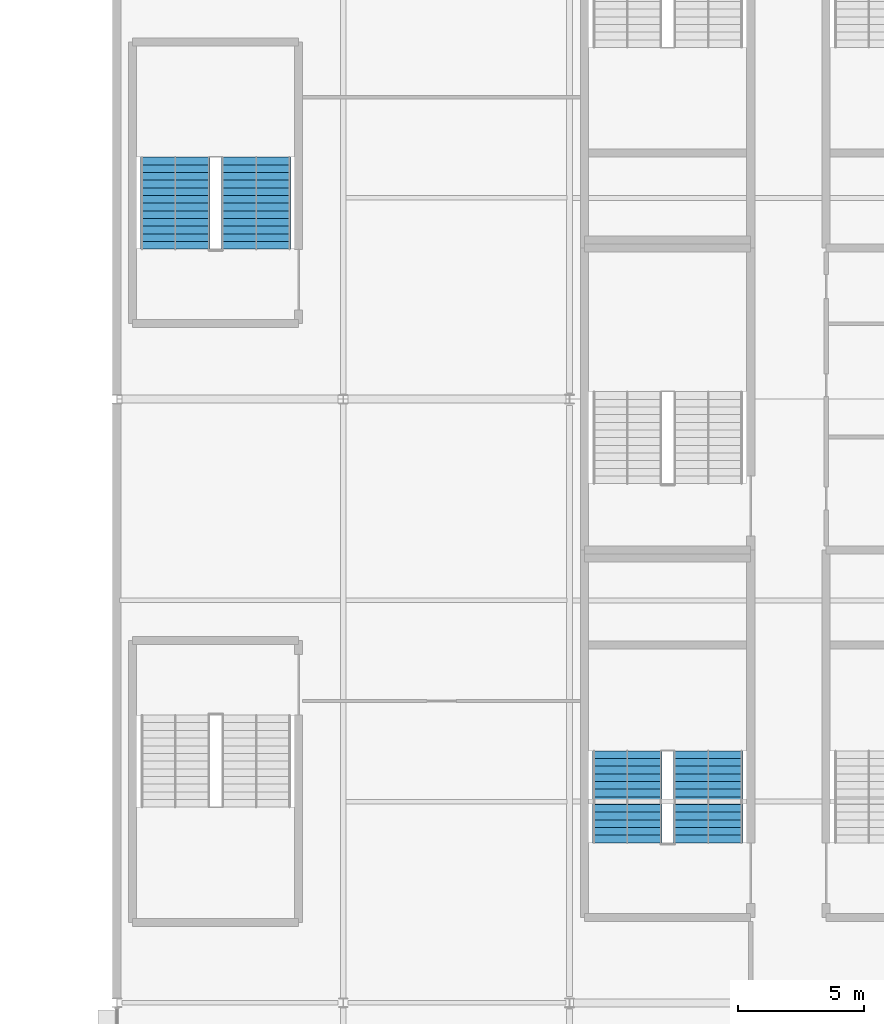
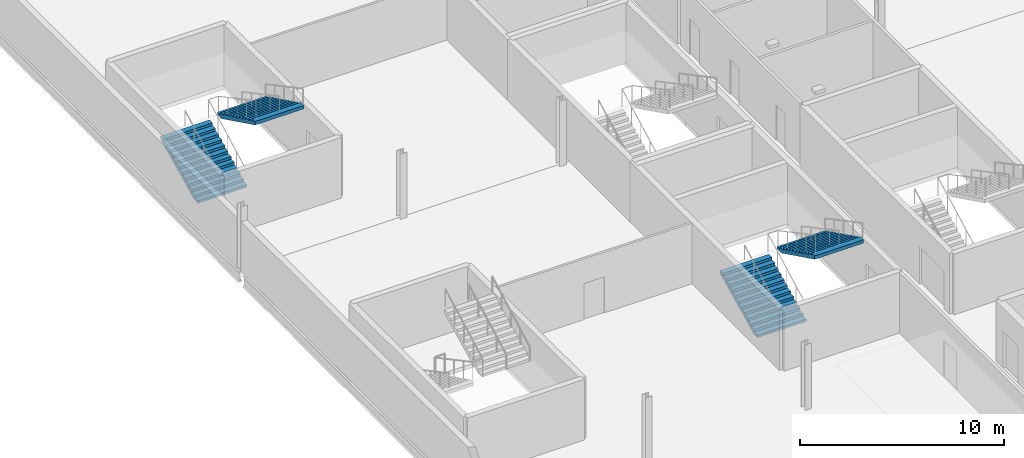
# One storey, part 86 of 98: 4 stair flights, 2 elements without a shape of their own.
"""IFC4 building model written with IfcOpenShell, lengths in metres."""

import ifcopenshell
import ifcopenshell.guid

model = None  # the IFC model being written
_history = None  # IfcOwnerHistory: only IFC2X3 demands one
_inside = {}  # id of a spatial element -> (the spatial element, [elements in it])
_under = {}  # id of a project, library or spatial element -> (it, [spatial elements below it])
_declared = {}  # id of a project -> (the project, [libraries it declares])
_typed = {}  # id of a type object -> (the type object, [elements of that type])
_made_of = {}  # id of a material, layer set ... -> (it, [elements and type objects made of it])


def new_model(schema):
    """Start an empty IFC model of exactly this schema.

    Asked for "IFC4X3", IfcOpenShell would pick the latest addendum, in which some entities
    have other attributes; the version numbers below select the first issue.
    IFC2X3 requires an IfcOwnerHistory on every rooted entity: one is made here for all.
    """
    global model, _history
    if schema == "IFC4X3":
        model = ifcopenshell.file(schema_version=(4, 3, 0, 0))
    else:
        model = ifcopenshell.file(schema=schema)
    _inside.clear()
    _under.clear()
    _declared.clear()
    _typed.clear()
    _made_of.clear()
    _history = None
    if model.schema == "IFC2X3":
        org = make("IfcOrganization", Name="unknown")
        user = make(
            "IfcPersonAndOrganization",
            ThePerson=make("IfcPerson", FamilyName="unknown"),
            TheOrganization=org,
        )
        app = make(
            "IfcApplication",
            ApplicationDeveloper=org,
            Version="unknown",
            ApplicationFullName="unknown",
            ApplicationIdentifier="unknown",
        )
        _history = make(
            "IfcOwnerHistory",
            OwningUser=user,
            OwningApplication=app,
            ChangeAction="ADDED",
            CreationDate=0,
        )
    return model


def make(cls, **values):
    """One entity of the class cls with the attributes given. An attribute that is None is left unset."""
    return model.create_entity(
        cls, **{name: value for name, value in values.items() if value is not None}
    )


def rooted(cls, **values):
    """An entity with a GlobalId (a new one), such as an element, a storey or a relation."""
    return make(cls, GlobalId=ifcopenshell.guid.new(), OwnerHistory=_history, **values)


def si_unit(unit_type, name, prefix=None):
    """IfcSIUnit, for example si_unit("LENGTHUNIT", "METRE", prefix="MILLI")."""
    return make("IfcSIUnit", UnitType=unit_type, Prefix=prefix, Name=name)


def assignment(units):
    """IfcUnitAssignment: the units of a project."""
    return None if units is None else make("IfcUnitAssignment", Units=units)


def point(xyz):
    """IfcCartesianPoint."""
    return None if xyz is None else make("IfcCartesianPoint", Coordinates=xyz)


def direction(xyz):
    """IfcDirection."""
    return None if xyz is None else make("IfcDirection", DirectionRatios=xyz)


def frame(location, z_axis=None, x_axis=None):
    """IfcAxis2Placement3D, a coordinate frame: its origin and axes. An axis left out is left unset."""
    return make(
        "IfcAxis2Placement3D",
        Location=point(location),
        Axis=direction(z_axis),
        RefDirection=direction(x_axis),
    )


def origin():
    """The frame at (0, 0, 0) with its axes left unset."""
    return frame((0.0, 0.0, 0.0))


def place(relative_to, where):
    """IfcLocalPlacement: puts the frame where relative to a parent placement (None: the world)."""
    return make(
        "IfcLocalPlacement", PlacementRelTo=relative_to, RelativePlacement=where
    )


def context(
    kind, dimensions, precision=None, world=None, true_north=None, identifier=None
):
    """IfcGeometricRepresentationContext, for example the 3D "Model" context."""
    return make(
        "IfcGeometricRepresentationContext",
        ContextIdentifier=identifier,
        ContextType=kind,
        CoordinateSpaceDimension=dimensions,
        Precision=precision,
        WorldCoordinateSystem=world,
        TrueNorth=true_north,
    )


def subcontext(parent, identifier, kind, view, scale=None):
    """IfcGeometricRepresentationSubContext, for example "Body" below "Model"."""
    return make(
        "IfcGeometricRepresentationSubContext",
        ContextIdentifier=identifier,
        ContextType=kind,
        ParentContext=parent,
        TargetScale=scale,
        TargetView=view,
    )


def project(units=None, contexts=None):
    """IfcProject with its units and contexts."""
    return rooted(
        "IfcProject",
        Name="project",
        RepresentationContexts=contexts,
        UnitsInContext=assignment(units),
    )


def spatial(cls, under=None, at=None, **own):
    """A site, building, storey or space (cls), placed at a placement, below another one or the project."""
    s = rooted(cls, ObjectPlacement=at, **own)
    if under is not None:
        _under.setdefault(under.id(), (under, []))[1].append(s)
    return s


def point_list(points):
    """IfcCartesianPointList2D or 3D."""
    cls = (
        "IfcCartesianPointList2D" if len(points[0]) == 2 else "IfcCartesianPointList3D"
    )
    return make(cls, CoordList=points)


def polygons(points, faces, closed=None, point_numbers=None):
    """IfcPolygonalFaceSet: a face is its outer loop, then its inner loops; points numbered from 1."""
    made = []
    for loops in faces:
        if len(loops) == 1:
            made.append(make("IfcIndexedPolygonalFace", CoordIndex=loops[0]))
        else:
            made.append(
                make(
                    "IfcIndexedPolygonalFaceWithVoids",
                    CoordIndex=loops[0],
                    InnerCoordIndices=loops[1:],
                )
            )
    return make(
        "IfcPolygonalFaceSet",
        Coordinates=point_list(points),
        Closed=closed,
        Faces=made,
        PnIndex=point_numbers,
    )


def shape(context_of_items, identifier, shape_type, items):
    """IfcShapeRepresentation: the items that make up one representation, for example the "Body"."""
    return make(
        "IfcShapeRepresentation",
        ContextOfItems=context_of_items,
        RepresentationIdentifier=identifier,
        RepresentationType=shape_type,
        Items=items,
    )


def material(Name=None, Category=None):
    """IfcMaterial."""
    return make("IfcMaterial", Name=Name, Category=Category)


def made_of(thing, what):
    """Note that an element or type object is made of a material, layer set ...; save() writes the relation."""
    if what is not None:
        _made_of.setdefault(what.id(), (what, []))[1].append(thing)
    return thing


def type_object(cls, material=None, **own):
    """A type object (cls), such as IfcWallType, which elements share."""
    return made_of(rooted(cls, **own), material)


def element(
    cls,
    number,
    at=None,
    inside=None,
    cuts=None,
    type_object=None,
    material=None,
    context=None,
    identifier="Body",
    shape_type=None,
    held_by="IfcProductDefinitionShape",
    body=None,
    shapes=None,
    **own,
):
    """One element of the class cls, such as IfcWall. Its Tag is "e" and its number.

    at: its placement. inside: the storey or other place that contains it. cuts: it is an
    opening in that element (IfcRelVoidsElement). A single representation is given by context,
    identifier, shape_type and body (its items); several are given by shapes. held_by: the class
    of the entity that holds the representations. save() writes the other relations.
    """
    e = rooted(cls, Tag="e%d" % number, ObjectPlacement=at, **own)
    if body is not None:
        shapes = [shape(context, identifier, shape_type, body)]
    if shapes is not None:
        e.Representation = make(held_by, Representations=shapes)
    if inside is not None:
        _inside.setdefault(inside.id(), (inside, []))[1].append(e)
    if cuts is not None:
        rooted(
            "IfcRelVoidsElement", RelatingBuildingElement=cuts, RelatedOpeningElement=e
        )
    if type_object is not None:
        _typed.setdefault(type_object.id(), (type_object, []))[1].append(e)
    return made_of(e, material)


def aggregate(whole, parts):
    """IfcRelAggregates: a whole, such as a stair, and the parts it consists of."""
    return rooted("IfcRelAggregates", RelatingObject=whole, RelatedObjects=parts)


def save(model, path):
    """Write the relations noted so far, then the file.

    IfcRelAggregates (storeys below a building ...), IfcRelContainedInSpatialStructure (elements
    in a storey), IfcRelDefinesByType, IfcRelAssociatesMaterial and IfcRelDeclares: one each for
    every whole, place, type object, material and project.
    """
    for whole, parts in _under.values():
        aggregate(whole, parts)
    for where, things in _inside.values():
        rooted(
            "IfcRelContainedInSpatialStructure",
            RelatedElements=things,
            RelatingStructure=where,
        )
    for kind, things in _typed.values():
        rooted("IfcRelDefinesByType", RelatedObjects=things, RelatingType=kind)
    for what, things in _made_of.values():
        rooted("IfcRelAssociatesMaterial", RelatedObjects=things, RelatingMaterial=what)
    for by, libraries in _declared.values():
        rooted("IfcRelDeclares", RelatingContext=by, RelatedDefinitions=libraries)
    model.write(path)


model = new_model("IFC4")

# Units and contexts
model_context = context("Model", 3, precision=1e-05, world=origin(), true_north=direction((0.0, 1.0)))
body_context = subcontext(model_context, "Body", "Model", "MODEL_VIEW")
ifc_project = project(units=[si_unit("LENGTHUNIT", "METRE"), si_unit("AREAUNIT", "SQUARE_METRE"), si_unit("VOLUMEUNIT", "CUBIC_METRE"), si_unit("PLANEANGLEUNIT", "RADIAN"), si_unit("MASSUNIT", "GRAM", prefix="KILO")], contexts=[model_context])

# Site, building, storey
site_placement = place(None, origin())
site = spatial("IfcSite", under=ifc_project, at=site_placement, CompositionType="ELEMENT")
building_placement = place(site_placement, origin())
building = spatial("IfcBuilding", under=site, at=building_placement, Name="Kisiwana Market Hall", CompositionType="ELEMENT")
storey_placement = place(building_placement, frame((0.0, 0.0, 29.39990234375)))
storey = spatial("IfcBuildingStorey", under=building, at=storey_placement, Name="L06", CompositionType="ELEMENT", Elevation=29.39990234375)

# Stair, stair flights
ifc_material_1 = material(Name="Concrete C32/40", Category="concrete")
stair_type = type_object("IfcStairType", Name="ST-ESC-3900", PredefinedType="TWO_STRAIGHT_RUN_STAIR", material=ifc_material_1)
stair_1_placement = place(storey_placement, origin())
stair_1 = element("IfcStair", 1, at=stair_1_placement, inside=storey, type_object=stair_type, Name="Escape stair ST-E7-L06", PredefinedType="TWO_STRAIGHT_RUN_STAIR")
ifc_material_2 = material(Name="Concrete C32/40", Category="concrete")
stair_flight_type = type_object("IfcStairFlightType", Name="SF-ESC-3900", PredefinedType="STRAIGHT", material=ifc_material_2)
stair_flight_1_placement = place(storey_placement, frame((173.2900390625, 42.360107421875, 0.0), z_axis=(0.0, 0.0, 1.0), x_axis=(0.0, 1.0, 0.0)))
stair_flight_1 = element("IfcStairFlight", 2, at=stair_flight_1_placement, type_object=stair_flight_type, Name="ST-E7-L06 flight 1", NumberOfRisers=13, NumberOfTreads=12, PredefinedType="STRAIGHT", RiserHeight=0.15, TreadLength=0.305, context=body_context, shape_type="Tessellation", body=[
    polygons([(0.0, -1.380127, 0.0), (0.0, -0.690125, 0.0), (0.0, -0.000122, 0.0), (0.0, 0.68988, 0.0), (0.0, 1.379883, 0.0), (0.0, -1.380127, 0.149902), (0.0, -0.690125, 0.149902), (0.0, -0.000122, 0.149902), (0.0, 0.68988, 0.149902), (0.0, 1.379883, 0.149902), (0.304932, -1.380127, 0.149902), (0.304932, -0.690125, 0.149902), (0.304932, -0.000122, 0.149902), (0.304932, 0.68988, 0.149902), (0.304932, 1.379883, 0.149902), (0.304932, -1.380127, 0.300049), (0.304932, -0.690125, 0.300049), (0.304932, -0.000122, 0.300049), (0.304932, 0.68988, 0.300049), (0.304932, 1.379883, 0.300049), (0.610107, -1.380127, 0.300049), (0.610107, -0.690125, 0.300049), (0.610107, -0.000122, 0.300049), (0.610107, 0.68988, 0.300049), (0.610107, 1.379883, 0.300049), (0.610107, -1.380127, 0.449951), (0.610107, -0.690125, 0.449951), (0.610107, -0.000122, 0.449951), (0.610107, 0.68988, 0.449951), (0.610107, 1.379883, 0.449951), (0.915039, -1.380127, 0.449951), (0.915039, -0.690125, 0.449951), (0.915039, -0.000122, 0.449951), (0.915039, 0.68988, 0.449951), (0.915039, 1.379883, 0.449951), (0.915039, -1.380127, 0.600098), (0.915039, -0.690125, 0.600098), (0.915039, -0.000122, 0.600098), (0.915039, 0.68988, 0.600098), (0.915039, 1.379883, 0.600098), (1.219971, -1.380127, 0.600098), (1.219971, -0.690125, 0.600098), (1.219971, -0.000122, 0.600098), (1.219971, 0.68988, 0.600098), (1.219971, 1.379883, 0.600098), (1.219971, -1.380127, 0.75), (1.219971, -0.690125, 0.75), (1.219971, -0.000122, 0.75), (1.219971, 0.68988, 0.75), (1.219971, 1.379883, 0.75), (1.524902, -1.380127, 0.75), (1.524902, -0.690125, 0.75), (1.524902, -0.000122, 0.75), (1.524902, 0.68988, 0.75), (1.524902, 1.379883, 0.75), (1.524902, -1.380127, 0.899902), (1.524902, -0.690125, 0.899902), (1.524902, -0.000122, 0.899902), (1.524902, 0.68988, 0.899902), (1.524902, 1.379883, 0.899902), (1.830078, -1.380127, 0.899902), (1.830078, -0.690125, 0.899902), (1.830078, -0.000122, 0.899902), (1.830078, 0.68988, 0.899902), (1.830078, 1.379883, 0.899902), (1.830078, -1.380127, 1.050049), (1.830078, -0.690125, 1.050049), (1.830078, -0.000122, 1.050049), (1.830078, 0.68988, 1.050049), (1.830078, 1.379883, 1.050049), (2.13501, -1.380127, 1.050049), (2.13501, -0.690125, 1.050049), (2.13501, -0.000122, 1.050049), (2.13501, 0.68988, 1.050049), (2.13501, 1.379883, 1.050049), (2.13501, -1.380127, 1.199951), (2.13501, -0.690125, 1.199951), (2.13501, -0.000122, 1.199951), (2.13501, 0.68988, 1.199951), (2.13501, 1.379883, 1.199951), (2.439941, -1.380127, 1.199951), (2.439941, -0.690125, 1.199951), (2.439941, -0.000122, 1.199951), (2.439941, 0.68988, 1.199951), (2.439941, 1.379883, 1.199951), (2.439941, -1.380127, 1.350098), (2.439941, -0.690125, 1.350098), (2.439941, -0.000122, 1.350098), (2.439941, 0.68988, 1.350098), (2.439941, 1.379883, 1.350098), (2.745117, -1.380127, 1.350098), (2.745117, -0.690125, 1.350098), (2.745117, -0.000122, 1.350098), (2.745117, 0.68988, 1.350098), (2.745117, 1.379883, 1.350098), (2.745117, -1.380127, 1.5), (2.745117, -0.690125, 1.5), (2.745117, -0.000122, 1.5), (2.745117, 0.68988, 1.5), (2.745117, 1.379883, 1.5), (3.050049, -1.380127, 1.5), (3.050049, -0.690125, 1.5), (3.050049, -0.000122, 1.5), (3.050049, 0.68988, 1.5), (3.050049, 1.379883, 1.5), (3.050049, -1.380127, 1.649902), (3.050049, -0.690125, 1.649902), (3.050049, -0.000122, 1.649902), (3.050049, 0.68988, 1.649902), (3.050049, 1.379883, 1.649902), (3.35498, -1.380127, 1.649902), (3.35498, -0.690125, 1.649902), (3.35498, -0.000122, 1.649902), (3.35498, 0.68988, 1.649902), (3.35498, 1.379883, 1.649902), (3.35498, -1.380127, 1.800049), (3.35498, -0.690125, 1.800049), (3.35498, -0.000122, 1.800049), (3.35498, 0.68988, 1.800049), (3.35498, 1.379883, 1.800049), (3.659912, -1.380127, 1.800049), (3.659912, -0.690125, 1.800049), (3.659912, -0.000122, 1.800049), (3.659912, 0.68988, 1.800049), (3.659912, 1.379883, 1.800049), (3.659912, -1.380127, 1.599365), (3.659912, -0.690125, 1.599365), (3.659912, -0.000122, 1.599365), (3.659912, 0.68988, 1.599365), (3.659912, 1.379883, 1.599365), (0.407715, -1.380127, 0.0), (0.407715, -0.690125, 0.0), (0.407715, -0.000122, 0.0), (0.407715, 0.68988, 0.0), (0.407715, 1.379883, 0.0)], [[[1, 6, 7, 2]], [[2, 7, 8, 3]], [[3, 8, 9, 4]], [[4, 9, 10, 5]], [[6, 11, 12, 7]], [[7, 12, 13, 8]], [[8, 13, 14, 9]], [[9, 14, 15, 10]], [[11, 16, 17, 12]], [[12, 17, 18, 13]], [[13, 18, 19, 14]], [[14, 19, 20, 15]], [[16, 21, 22, 17]], [[17, 22, 23, 18]], [[18, 23, 24, 19]], [[19, 24, 25, 20]], [[21, 26, 27, 22]], [[22, 27, 28, 23]], [[23, 28, 29, 24]], [[24, 29, 30, 25]], [[26, 31, 32, 27]], [[27, 32, 33, 28]], [[28, 33, 34, 29]], [[29, 34, 35, 30]], [[31, 36, 37, 32]], [[32, 37, 38, 33]], [[33, 38, 39, 34]], [[34, 39, 40, 35]], [[36, 41, 42, 37]], [[37, 42, 43, 38]], [[38, 43, 44, 39]], [[39, 44, 45, 40]], [[41, 46, 47, 42]], [[42, 47, 48, 43]], [[43, 48, 49, 44]], [[44, 49, 50, 45]], [[46, 51, 52, 47]], [[47, 52, 53, 48]], [[48, 53, 54, 49]], [[49, 54, 55, 50]], [[51, 56, 57, 52]], [[52, 57, 58, 53]], [[53, 58, 59, 54]], [[54, 59, 60, 55]], [[56, 61, 62, 57]], [[57, 62, 63, 58]], [[58, 63, 64, 59]], [[59, 64, 65, 60]], [[61, 66, 67, 62]], [[62, 67, 68, 63]], [[63, 68, 69, 64]], [[64, 69, 70, 65]], [[66, 71, 72, 67]], [[67, 72, 73, 68]], [[68, 73, 74, 69]], [[69, 74, 75, 70]], [[71, 76, 77, 72]], [[72, 77, 78, 73]], [[73, 78, 79, 74]], [[74, 79, 80, 75]], [[76, 81, 82, 77]], [[77, 82, 83, 78]], [[78, 83, 84, 79]], [[79, 84, 85, 80]], [[81, 86, 87, 82]], [[82, 87, 88, 83]], [[83, 88, 89, 84]], [[84, 89, 90, 85]], [[86, 91, 92, 87]], [[87, 92, 93, 88]], [[88, 93, 94, 89]], [[89, 94, 95, 90]], [[91, 96, 97, 92]], [[92, 97, 98, 93]], [[93, 98, 99, 94]], [[94, 99, 100, 95]], [[96, 101, 102, 97]], [[97, 102, 103, 98]], [[98, 103, 104, 99]], [[99, 104, 105, 100]], [[101, 106, 107, 102]], [[102, 107, 108, 103]], [[103, 108, 109, 104]], [[104, 109, 110, 105]], [[106, 111, 112, 107]], [[107, 112, 113, 108]], [[108, 113, 114, 109]], [[109, 114, 115, 110]], [[111, 116, 117, 112]], [[112, 117, 118, 113]], [[113, 118, 119, 114]], [[114, 119, 120, 115]], [[116, 121, 122, 117]], [[117, 122, 123, 118]], [[118, 123, 124, 119]], [[119, 124, 125, 120]], [[121, 126, 127, 122]], [[122, 127, 128, 123]], [[123, 128, 129, 124]], [[124, 129, 130, 125]], [[126, 131, 132, 127]], [[127, 132, 133, 128]], [[128, 133, 134, 129]], [[129, 134, 135, 130]], [[131, 1, 2, 132]], [[132, 2, 3, 133]], [[133, 3, 4, 134]], [[134, 4, 5, 135]], [[131, 126, 121, 116, 111, 106, 101, 96, 91, 86, 81, 76, 71, 66, 61, 56, 51, 46, 41, 36, 31, 26, 21, 16, 11, 6, 1]], [[5, 10, 15, 20, 25, 30, 35, 40, 45, 50, 55, 60, 65, 70, 75, 80, 85, 90, 95, 100, 105, 110, 115, 120, 125, 130, 135]]], closed=True),
])
stair_flight_2_placement = place(storey_placement, frame((176.510009765625, 46.02001953125, 1.9501953125), z_axis=(0.0, 0.0, 1.0), x_axis=(0.0, -1.0, 0.0)))
stair_flight_2 = element("IfcStairFlight", 3, at=stair_flight_2_placement, type_object=stair_flight_type, Name="ST-E7-L06 flight 2", NumberOfRisers=13, NumberOfTreads=12, PredefinedType="STRAIGHT", RiserHeight=0.15, TreadLength=0.305, context=body_context, shape_type="Tessellation", body=[
    polygons([(0.0, -1.380127, 0.0), (0.0, -0.690125, 0.0), (0.0, -0.000122, 0.0), (0.0, 0.68988, 0.0), (0.0, 1.379883, 0.0), (0.0, -1.380127, 0.149902), (0.0, -0.690125, 0.149902), (0.0, -0.000122, 0.149902), (0.0, 0.68988, 0.149902), (0.0, 1.379883, 0.149902), (0.304932, -1.380127, 0.149902), (0.304932, -0.690125, 0.149902), (0.304932, -0.000122, 0.149902), (0.304932, 0.68988, 0.149902), (0.304932, 1.379883, 0.149902), (0.304932, -1.380127, 0.300049), (0.304932, -0.690125, 0.300049), (0.304932, -0.000122, 0.300049), (0.304932, 0.68988, 0.300049), (0.304932, 1.379883, 0.300049), (0.610107, -1.380127, 0.300049), (0.610107, -0.690125, 0.300049), (0.610107, -0.000122, 0.300049), (0.610107, 0.68988, 0.300049), (0.610107, 1.379883, 0.300049), (0.610107, -1.380127, 0.449951), (0.610107, -0.690125, 0.449951), (0.610107, -0.000122, 0.449951), (0.610107, 0.68988, 0.449951), (0.610107, 1.379883, 0.449951), (0.915039, -1.380127, 0.449951), (0.915039, -0.690125, 0.449951), (0.915039, -0.000122, 0.449951), (0.915039, 0.68988, 0.449951), (0.915039, 1.379883, 0.449951), (0.915039, -1.380127, 0.600098), (0.915039, -0.690125, 0.600098), (0.915039, -0.000122, 0.600098), (0.915039, 0.68988, 0.600098), (0.915039, 1.379883, 0.600098), (1.219971, -1.380127, 0.600098), (1.219971, -0.690125, 0.600098), (1.219971, -0.000122, 0.600098), (1.219971, 0.68988, 0.600098), (1.219971, 1.379883, 0.600098), (1.219971, -1.380127, 0.75), (1.219971, -0.690125, 0.75), (1.219971, -0.000122, 0.75), (1.219971, 0.68988, 0.75), (1.219971, 1.379883, 0.75), (1.524902, -1.380127, 0.75), (1.524902, -0.690125, 0.75), (1.524902, -0.000122, 0.75), (1.524902, 0.68988, 0.75), (1.524902, 1.379883, 0.75), (1.524902, -1.380127, 0.899902), (1.524902, -0.690125, 0.899902), (1.524902, -0.000122, 0.899902), (1.524902, 0.68988, 0.899902), (1.524902, 1.379883, 0.899902), (1.830078, -1.380127, 0.899902), (1.830078, -0.690125, 0.899902), (1.830078, -0.000122, 0.899902), (1.830078, 0.68988, 0.899902), (1.830078, 1.379883, 0.899902), (1.830078, -1.380127, 1.050049), (1.830078, -0.690125, 1.050049), (1.830078, -0.000122, 1.050049), (1.830078, 0.68988, 1.050049), (1.830078, 1.379883, 1.050049), (2.13501, -1.380127, 1.050049), (2.13501, -0.690125, 1.050049), (2.13501, -0.000122, 1.050049), (2.13501, 0.68988, 1.050049), (2.13501, 1.379883, 1.050049), (2.13501, -1.380127, 1.199951), (2.13501, -0.690125, 1.199951), (2.13501, -0.000122, 1.199951), (2.13501, 0.68988, 1.199951), (2.13501, 1.379883, 1.199951), (2.439941, -1.380127, 1.199951), (2.439941, -0.690125, 1.199951), (2.439941, -0.000122, 1.199951), (2.439941, 0.68988, 1.199951), (2.439941, 1.379883, 1.199951), (2.439941, -1.380127, 1.350098), (2.439941, -0.690125, 1.350098), (2.439941, -0.000122, 1.350098), (2.439941, 0.68988, 1.350098), (2.439941, 1.379883, 1.350098), (2.745117, -1.380127, 1.350098), (2.745117, -0.690125, 1.350098), (2.745117, -0.000122, 1.350098), (2.745117, 0.68988, 1.350098), (2.745117, 1.379883, 1.350098), (2.745117, -1.380127, 1.5), (2.745117, -0.690125, 1.5), (2.745117, -0.000122, 1.5), (2.745117, 0.68988, 1.5), (2.745117, 1.379883, 1.5), (3.050049, -1.380127, 1.5), (3.050049, -0.690125, 1.5), (3.050049, -0.000122, 1.5), (3.050049, 0.68988, 1.5), (3.050049, 1.379883, 1.5), (3.050049, -1.380127, 1.649902), (3.050049, -0.690125, 1.649902), (3.050049, -0.000122, 1.649902), (3.050049, 0.68988, 1.649902), (3.050049, 1.379883, 1.649902), (3.35498, -1.380127, 1.649902), (3.35498, -0.690125, 1.649902), (3.35498, -0.000122, 1.649902), (3.35498, 0.68988, 1.649902), (3.35498, 1.379883, 1.649902), (3.35498, -1.380127, 1.800049), (3.35498, -0.690125, 1.800049), (3.35498, -0.000122, 1.800049), (3.35498, 0.68988, 1.800049), (3.35498, 1.379883, 1.800049), (3.659912, -1.380127, 1.800049), (3.659912, -0.690125, 1.800049), (3.659912, -0.000122, 1.800049), (3.659912, 0.68988, 1.800049), (3.659912, 1.379883, 1.800049), (3.659912, -1.380127, 1.599365), (3.659912, -0.690125, 1.599365), (3.659912, -0.000122, 1.599365), (3.659912, 0.68988, 1.599365), (3.659912, 1.379883, 1.599365), (0.407715, -1.380127, 0.0), (0.407715, -0.690125, 0.0), (0.407715, -0.000122, 0.0), (0.407715, 0.68988, 0.0), (0.407715, 1.379883, 0.0)], [[[1, 6, 7, 2]], [[2, 7, 8, 3]], [[3, 8, 9, 4]], [[4, 9, 10, 5]], [[6, 11, 12, 7]], [[7, 12, 13, 8]], [[8, 13, 14, 9]], [[9, 14, 15, 10]], [[11, 16, 17, 12]], [[12, 17, 18, 13]], [[13, 18, 19, 14]], [[14, 19, 20, 15]], [[16, 21, 22, 17]], [[17, 22, 23, 18]], [[18, 23, 24, 19]], [[19, 24, 25, 20]], [[21, 26, 27, 22]], [[22, 27, 28, 23]], [[23, 28, 29, 24]], [[24, 29, 30, 25]], [[26, 31, 32, 27]], [[27, 32, 33, 28]], [[28, 33, 34, 29]], [[29, 34, 35, 30]], [[31, 36, 37, 32]], [[32, 37, 38, 33]], [[33, 38, 39, 34]], [[34, 39, 40, 35]], [[36, 41, 42, 37]], [[37, 42, 43, 38]], [[38, 43, 44, 39]], [[39, 44, 45, 40]], [[41, 46, 47, 42]], [[42, 47, 48, 43]], [[43, 48, 49, 44]], [[44, 49, 50, 45]], [[46, 51, 52, 47]], [[47, 52, 53, 48]], [[48, 53, 54, 49]], [[49, 54, 55, 50]], [[51, 56, 57, 52]], [[52, 57, 58, 53]], [[53, 58, 59, 54]], [[54, 59, 60, 55]], [[56, 61, 62, 57]], [[57, 62, 63, 58]], [[58, 63, 64, 59]], [[59, 64, 65, 60]], [[61, 66, 67, 62]], [[62, 67, 68, 63]], [[63, 68, 69, 64]], [[64, 69, 70, 65]], [[66, 71, 72, 67]], [[67, 72, 73, 68]], [[68, 73, 74, 69]], [[69, 74, 75, 70]], [[71, 76, 77, 72]], [[72, 77, 78, 73]], [[73, 78, 79, 74]], [[74, 79, 80, 75]], [[76, 81, 82, 77]], [[77, 82, 83, 78]], [[78, 83, 84, 79]], [[79, 84, 85, 80]], [[81, 86, 87, 82]], [[82, 87, 88, 83]], [[83, 88, 89, 84]], [[84, 89, 90, 85]], [[86, 91, 92, 87]], [[87, 92, 93, 88]], [[88, 93, 94, 89]], [[89, 94, 95, 90]], [[91, 96, 97, 92]], [[92, 97, 98, 93]], [[93, 98, 99, 94]], [[94, 99, 100, 95]], [[96, 101, 102, 97]], [[97, 102, 103, 98]], [[98, 103, 104, 99]], [[99, 104, 105, 100]], [[101, 106, 107, 102]], [[102, 107, 108, 103]], [[103, 108, 109, 104]], [[104, 109, 110, 105]], [[106, 111, 112, 107]], [[107, 112, 113, 108]], [[108, 113, 114, 109]], [[109, 114, 115, 110]], [[111, 116, 117, 112]], [[112, 117, 118, 113]], [[113, 118, 119, 114]], [[114, 119, 120, 115]], [[116, 121, 122, 117]], [[117, 122, 123, 118]], [[118, 123, 124, 119]], [[119, 124, 125, 120]], [[121, 126, 127, 122]], [[122, 127, 128, 123]], [[123, 128, 129, 124]], [[124, 129, 130, 125]], [[126, 131, 132, 127]], [[127, 132, 133, 128]], [[128, 133, 134, 129]], [[129, 134, 135, 130]], [[131, 1, 2, 132]], [[132, 2, 3, 133]], [[133, 3, 4, 134]], [[134, 4, 5, 135]], [[131, 126, 121, 116, 111, 106, 101, 96, 91, 86, 81, 76, 71, 66, 61, 56, 51, 46, 41, 36, 31, 26, 21, 16, 11, 6, 1]], [[5, 10, 15, 20, 25, 30, 35, 40, 45, 50, 55, 60, 65, 70, 75, 80, 85, 90, 95, 100, 105, 110, 115, 120, 125, 130, 135]]], closed=True),
])
aggregate(stair_1, [stair_flight_1, stair_flight_2])

stair_2_placement = place(storey_placement, origin())
stair_2 = element("IfcStair", 4, at=stair_2_placement, inside=storey, type_object=stair_type, Name="Escape stair ST-E10-L06", PredefinedType="TWO_STRAIGHT_RUN_STAIR")
stair_flight_3_placement = place(storey_placement, frame((155.320068359375, 65.9599609375, 0.0), z_axis=(0.0, 0.0, 1.0), x_axis=(0.0, 1.0, 0.0)))
stair_flight_3 = element("IfcStairFlight", 5, at=stair_flight_3_placement, type_object=stair_flight_type, Name="ST-E10-L06 flight 1", NumberOfRisers=13, NumberOfTreads=12, PredefinedType="STRAIGHT", RiserHeight=0.15, TreadLength=0.305, context=body_context, shape_type="Tessellation", body=[
    polygons([(0.0, -1.380127, 0.0), (0.0, -0.690125, 0.0), (0.0, -0.000122, 0.0), (0.0, 0.68988, 0.0), (0.0, 1.379883, 0.0), (0.0, -1.380127, 0.149902), (0.0, -0.690125, 0.149902), (0.0, -0.000122, 0.149902), (0.0, 0.68988, 0.149902), (0.0, 1.379883, 0.149902), (0.304932, -1.380127, 0.149902), (0.304932, -0.690125, 0.149902), (0.304932, -0.000122, 0.149902), (0.304932, 0.68988, 0.149902), (0.304932, 1.379883, 0.149902), (0.304932, -1.380127, 0.300049), (0.304932, -0.690125, 0.300049), (0.304932, -0.000122, 0.300049), (0.304932, 0.68988, 0.300049), (0.304932, 1.379883, 0.300049), (0.610107, -1.380127, 0.300049), (0.610107, -0.690125, 0.300049), (0.610107, -0.000122, 0.300049), (0.610107, 0.68988, 0.300049), (0.610107, 1.379883, 0.300049), (0.610107, -1.380127, 0.449951), (0.610107, -0.690125, 0.449951), (0.610107, -0.000122, 0.449951), (0.610107, 0.68988, 0.449951), (0.610107, 1.379883, 0.449951), (0.915039, -1.380127, 0.449951), (0.915039, -0.690125, 0.449951), (0.915039, -0.000122, 0.449951), (0.915039, 0.68988, 0.449951), (0.915039, 1.379883, 0.449951), (0.915039, -1.380127, 0.600098), (0.915039, -0.690125, 0.600098), (0.915039, -0.000122, 0.600098), (0.915039, 0.68988, 0.600098), (0.915039, 1.379883, 0.600098), (1.219971, -1.380127, 0.600098), (1.219971, -0.690125, 0.600098), (1.219971, -0.000122, 0.600098), (1.219971, 0.68988, 0.600098), (1.219971, 1.379883, 0.600098), (1.219971, -1.380127, 0.75), (1.219971, -0.690125, 0.75), (1.219971, -0.000122, 0.75), (1.219971, 0.68988, 0.75), (1.219971, 1.379883, 0.75), (1.524902, -1.380127, 0.75), (1.524902, -0.690125, 0.75), (1.524902, -0.000122, 0.75), (1.524902, 0.68988, 0.75), (1.524902, 1.379883, 0.75), (1.524902, -1.380127, 0.899902), (1.524902, -0.690125, 0.899902), (1.524902, -0.000122, 0.899902), (1.524902, 0.68988, 0.899902), (1.524902, 1.379883, 0.899902), (1.830078, -1.380127, 0.899902), (1.830078, -0.690125, 0.899902), (1.830078, -0.000122, 0.899902), (1.830078, 0.68988, 0.899902), (1.830078, 1.379883, 0.899902), (1.830078, -1.380127, 1.050049), (1.830078, -0.690125, 1.050049), (1.830078, -0.000122, 1.050049), (1.830078, 0.68988, 1.050049), (1.830078, 1.379883, 1.050049), (2.13501, -1.380127, 1.050049), (2.13501, -0.690125, 1.050049), (2.13501, -0.000122, 1.050049), (2.13501, 0.68988, 1.050049), (2.13501, 1.379883, 1.050049), (2.13501, -1.380127, 1.199951), (2.13501, -0.690125, 1.199951), (2.13501, -0.000122, 1.199951), (2.13501, 0.68988, 1.199951), (2.13501, 1.379883, 1.199951), (2.439941, -1.380127, 1.199951), (2.439941, -0.690125, 1.199951), (2.439941, -0.000122, 1.199951), (2.439941, 0.68988, 1.199951), (2.439941, 1.379883, 1.199951), (2.439941, -1.380127, 1.350098), (2.439941, -0.690125, 1.350098), (2.439941, -0.000122, 1.350098), (2.439941, 0.68988, 1.350098), (2.439941, 1.379883, 1.350098), (2.745117, -1.380127, 1.350098), (2.745117, -0.690125, 1.350098), (2.745117, -0.000122, 1.350098), (2.745117, 0.68988, 1.350098), (2.745117, 1.379883, 1.350098), (2.745117, -1.380127, 1.5), (2.745117, -0.690125, 1.5), (2.745117, -0.000122, 1.5), (2.745117, 0.68988, 1.5), (2.745117, 1.379883, 1.5), (3.050049, -1.380127, 1.5), (3.050049, -0.690125, 1.5), (3.050049, -0.000122, 1.5), (3.050049, 0.68988, 1.5), (3.050049, 1.379883, 1.5), (3.050049, -1.380127, 1.649902), (3.050049, -0.690125, 1.649902), (3.050049, -0.000122, 1.649902), (3.050049, 0.68988, 1.649902), (3.050049, 1.379883, 1.649902), (3.35498, -1.380127, 1.649902), (3.35498, -0.690125, 1.649902), (3.35498, -0.000122, 1.649902), (3.35498, 0.68988, 1.649902), (3.35498, 1.379883, 1.649902), (3.35498, -1.380127, 1.800049), (3.35498, -0.690125, 1.800049), (3.35498, -0.000122, 1.800049), (3.35498, 0.68988, 1.800049), (3.35498, 1.379883, 1.800049), (3.659912, -1.380127, 1.800049), (3.659912, -0.690125, 1.800049), (3.659912, -0.000122, 1.800049), (3.659912, 0.68988, 1.800049), (3.659912, 1.379883, 1.800049), (3.659912, -1.380127, 1.599365), (3.659912, -0.690125, 1.599365), (3.659912, -0.000122, 1.599365), (3.659912, 0.68988, 1.599365), (3.659912, 1.379883, 1.599365), (0.407715, -1.380127, 0.0), (0.407715, -0.690125, 0.0), (0.407715, -0.000122, 0.0), (0.407715, 0.68988, 0.0), (0.407715, 1.379883, 0.0)], [[[1, 6, 7, 2]], [[2, 7, 8, 3]], [[3, 8, 9, 4]], [[4, 9, 10, 5]], [[6, 11, 12, 7]], [[7, 12, 13, 8]], [[8, 13, 14, 9]], [[9, 14, 15, 10]], [[11, 16, 17, 12]], [[12, 17, 18, 13]], [[13, 18, 19, 14]], [[14, 19, 20, 15]], [[16, 21, 22, 17]], [[17, 22, 23, 18]], [[18, 23, 24, 19]], [[19, 24, 25, 20]], [[21, 26, 27, 22]], [[22, 27, 28, 23]], [[23, 28, 29, 24]], [[24, 29, 30, 25]], [[26, 31, 32, 27]], [[27, 32, 33, 28]], [[28, 33, 34, 29]], [[29, 34, 35, 30]], [[31, 36, 37, 32]], [[32, 37, 38, 33]], [[33, 38, 39, 34]], [[34, 39, 40, 35]], [[36, 41, 42, 37]], [[37, 42, 43, 38]], [[38, 43, 44, 39]], [[39, 44, 45, 40]], [[41, 46, 47, 42]], [[42, 47, 48, 43]], [[43, 48, 49, 44]], [[44, 49, 50, 45]], [[46, 51, 52, 47]], [[47, 52, 53, 48]], [[48, 53, 54, 49]], [[49, 54, 55, 50]], [[51, 56, 57, 52]], [[52, 57, 58, 53]], [[53, 58, 59, 54]], [[54, 59, 60, 55]], [[56, 61, 62, 57]], [[57, 62, 63, 58]], [[58, 63, 64, 59]], [[59, 64, 65, 60]], [[61, 66, 67, 62]], [[62, 67, 68, 63]], [[63, 68, 69, 64]], [[64, 69, 70, 65]], [[66, 71, 72, 67]], [[67, 72, 73, 68]], [[68, 73, 74, 69]], [[69, 74, 75, 70]], [[71, 76, 77, 72]], [[72, 77, 78, 73]], [[73, 78, 79, 74]], [[74, 79, 80, 75]], [[76, 81, 82, 77]], [[77, 82, 83, 78]], [[78, 83, 84, 79]], [[79, 84, 85, 80]], [[81, 86, 87, 82]], [[82, 87, 88, 83]], [[83, 88, 89, 84]], [[84, 89, 90, 85]], [[86, 91, 92, 87]], [[87, 92, 93, 88]], [[88, 93, 94, 89]], [[89, 94, 95, 90]], [[91, 96, 97, 92]], [[92, 97, 98, 93]], [[93, 98, 99, 94]], [[94, 99, 100, 95]], [[96, 101, 102, 97]], [[97, 102, 103, 98]], [[98, 103, 104, 99]], [[99, 104, 105, 100]], [[101, 106, 107, 102]], [[102, 107, 108, 103]], [[103, 108, 109, 104]], [[104, 109, 110, 105]], [[106, 111, 112, 107]], [[107, 112, 113, 108]], [[108, 113, 114, 109]], [[109, 114, 115, 110]], [[111, 116, 117, 112]], [[112, 117, 118, 113]], [[113, 118, 119, 114]], [[114, 119, 120, 115]], [[116, 121, 122, 117]], [[117, 122, 123, 118]], [[118, 123, 124, 119]], [[119, 124, 125, 120]], [[121, 126, 127, 122]], [[122, 127, 128, 123]], [[123, 128, 129, 124]], [[124, 129, 130, 125]], [[126, 131, 132, 127]], [[127, 132, 133, 128]], [[128, 133, 134, 129]], [[129, 134, 135, 130]], [[131, 1, 2, 132]], [[132, 2, 3, 133]], [[133, 3, 4, 134]], [[134, 4, 5, 135]], [[131, 126, 121, 116, 111, 106, 101, 96, 91, 86, 81, 76, 71, 66, 61, 56, 51, 46, 41, 36, 31, 26, 21, 16, 11, 6, 1]], [[5, 10, 15, 20, 25, 30, 35, 40, 45, 50, 55, 60, 65, 70, 75, 80, 85, 90, 95, 100, 105, 110, 115, 120, 125, 130, 135]]], closed=True),
])
stair_flight_4_placement = place(storey_placement, frame((158.5400390625, 69.6201171875, 1.9501953125), z_axis=(0.0, 0.0, 1.0), x_axis=(0.0, -1.0, 0.0)))
stair_flight_4 = element("IfcStairFlight", 6, at=stair_flight_4_placement, type_object=stair_flight_type, Name="ST-E10-L06 flight 2", NumberOfRisers=13, NumberOfTreads=12, PredefinedType="STRAIGHT", RiserHeight=0.15, TreadLength=0.305, context=body_context, shape_type="Tessellation", body=[
    polygons([(0.0, -1.380127, 0.0), (0.0, -0.690125, 0.0), (0.0, -0.000122, 0.0), (0.0, 0.68988, 0.0), (0.0, 1.379883, 0.0), (0.0, -1.380127, 0.149902), (0.0, -0.690125, 0.149902), (0.0, -0.000122, 0.149902), (0.0, 0.68988, 0.149902), (0.0, 1.379883, 0.149902), (0.304932, -1.380127, 0.149902), (0.304932, -0.690125, 0.149902), (0.304932, -0.000122, 0.149902), (0.304932, 0.68988, 0.149902), (0.304932, 1.379883, 0.149902), (0.304932, -1.380127, 0.300049), (0.304932, -0.690125, 0.300049), (0.304932, -0.000122, 0.300049), (0.304932, 0.68988, 0.300049), (0.304932, 1.379883, 0.300049), (0.610107, -1.380127, 0.300049), (0.610107, -0.690125, 0.300049), (0.610107, -0.000122, 0.300049), (0.610107, 0.68988, 0.300049), (0.610107, 1.379883, 0.300049), (0.610107, -1.380127, 0.449951), (0.610107, -0.690125, 0.449951), (0.610107, -0.000122, 0.449951), (0.610107, 0.68988, 0.449951), (0.610107, 1.379883, 0.449951), (0.915039, -1.380127, 0.449951), (0.915039, -0.690125, 0.449951), (0.915039, -0.000122, 0.449951), (0.915039, 0.68988, 0.449951), (0.915039, 1.379883, 0.449951), (0.915039, -1.380127, 0.600098), (0.915039, -0.690125, 0.600098), (0.915039, -0.000122, 0.600098), (0.915039, 0.68988, 0.600098), (0.915039, 1.379883, 0.600098), (1.219971, -1.380127, 0.600098), (1.219971, -0.690125, 0.600098), (1.219971, -0.000122, 0.600098), (1.219971, 0.68988, 0.600098), (1.219971, 1.379883, 0.600098), (1.219971, -1.380127, 0.75), (1.219971, -0.690125, 0.75), (1.219971, -0.000122, 0.75), (1.219971, 0.68988, 0.75), (1.219971, 1.379883, 0.75), (1.524902, -1.380127, 0.75), (1.524902, -0.690125, 0.75), (1.524902, -0.000122, 0.75), (1.524902, 0.68988, 0.75), (1.524902, 1.379883, 0.75), (1.524902, -1.380127, 0.899902), (1.524902, -0.690125, 0.899902), (1.524902, -0.000122, 0.899902), (1.524902, 0.68988, 0.899902), (1.524902, 1.379883, 0.899902), (1.830078, -1.380127, 0.899902), (1.830078, -0.690125, 0.899902), (1.830078, -0.000122, 0.899902), (1.830078, 0.68988, 0.899902), (1.830078, 1.379883, 0.899902), (1.830078, -1.380127, 1.050049), (1.830078, -0.690125, 1.050049), (1.830078, -0.000122, 1.050049), (1.830078, 0.68988, 1.050049), (1.830078, 1.379883, 1.050049), (2.13501, -1.380127, 1.050049), (2.13501, -0.690125, 1.050049), (2.13501, -0.000122, 1.050049), (2.13501, 0.68988, 1.050049), (2.13501, 1.379883, 1.050049), (2.13501, -1.380127, 1.199951), (2.13501, -0.690125, 1.199951), (2.13501, -0.000122, 1.199951), (2.13501, 0.68988, 1.199951), (2.13501, 1.379883, 1.199951), (2.439941, -1.380127, 1.199951), (2.439941, -0.690125, 1.199951), (2.439941, -0.000122, 1.199951), (2.439941, 0.68988, 1.199951), (2.439941, 1.379883, 1.199951), (2.439941, -1.380127, 1.350098), (2.439941, -0.690125, 1.350098), (2.439941, -0.000122, 1.350098), (2.439941, 0.68988, 1.350098), (2.439941, 1.379883, 1.350098), (2.745117, -1.380127, 1.350098), (2.745117, -0.690125, 1.350098), (2.745117, -0.000122, 1.350098), (2.745117, 0.68988, 1.350098), (2.745117, 1.379883, 1.350098), (2.745117, -1.380127, 1.5), (2.745117, -0.690125, 1.5), (2.745117, -0.000122, 1.5), (2.745117, 0.68988, 1.5), (2.745117, 1.379883, 1.5), (3.050049, -1.380127, 1.5), (3.050049, -0.690125, 1.5), (3.050049, -0.000122, 1.5), (3.050049, 0.68988, 1.5), (3.050049, 1.379883, 1.5), (3.050049, -1.380127, 1.649902), (3.050049, -0.690125, 1.649902), (3.050049, -0.000122, 1.649902), (3.050049, 0.68988, 1.649902), (3.050049, 1.379883, 1.649902), (3.35498, -1.380127, 1.649902), (3.35498, -0.690125, 1.649902), (3.35498, -0.000122, 1.649902), (3.35498, 0.68988, 1.649902), (3.35498, 1.379883, 1.649902), (3.35498, -1.380127, 1.800049), (3.35498, -0.690125, 1.800049), (3.35498, -0.000122, 1.800049), (3.35498, 0.68988, 1.800049), (3.35498, 1.379883, 1.800049), (3.659912, -1.380127, 1.800049), (3.659912, -0.690125, 1.800049), (3.659912, -0.000122, 1.800049), (3.659912, 0.68988, 1.800049), (3.659912, 1.379883, 1.800049), (3.659912, -1.380127, 1.599365), (3.659912, -0.690125, 1.599365), (3.659912, -0.000122, 1.599365), (3.659912, 0.68988, 1.599365), (3.659912, 1.379883, 1.599365), (0.407715, -1.380127, 0.0), (0.407715, -0.690125, 0.0), (0.407715, -0.000122, 0.0), (0.407715, 0.68988, 0.0), (0.407715, 1.379883, 0.0)], [[[1, 6, 7, 2]], [[2, 7, 8, 3]], [[3, 8, 9, 4]], [[4, 9, 10, 5]], [[6, 11, 12, 7]], [[7, 12, 13, 8]], [[8, 13, 14, 9]], [[9, 14, 15, 10]], [[11, 16, 17, 12]], [[12, 17, 18, 13]], [[13, 18, 19, 14]], [[14, 19, 20, 15]], [[16, 21, 22, 17]], [[17, 22, 23, 18]], [[18, 23, 24, 19]], [[19, 24, 25, 20]], [[21, 26, 27, 22]], [[22, 27, 28, 23]], [[23, 28, 29, 24]], [[24, 29, 30, 25]], [[26, 31, 32, 27]], [[27, 32, 33, 28]], [[28, 33, 34, 29]], [[29, 34, 35, 30]], [[31, 36, 37, 32]], [[32, 37, 38, 33]], [[33, 38, 39, 34]], [[34, 39, 40, 35]], [[36, 41, 42, 37]], [[37, 42, 43, 38]], [[38, 43, 44, 39]], [[39, 44, 45, 40]], [[41, 46, 47, 42]], [[42, 47, 48, 43]], [[43, 48, 49, 44]], [[44, 49, 50, 45]], [[46, 51, 52, 47]], [[47, 52, 53, 48]], [[48, 53, 54, 49]], [[49, 54, 55, 50]], [[51, 56, 57, 52]], [[52, 57, 58, 53]], [[53, 58, 59, 54]], [[54, 59, 60, 55]], [[56, 61, 62, 57]], [[57, 62, 63, 58]], [[58, 63, 64, 59]], [[59, 64, 65, 60]], [[61, 66, 67, 62]], [[62, 67, 68, 63]], [[63, 68, 69, 64]], [[64, 69, 70, 65]], [[66, 71, 72, 67]], [[67, 72, 73, 68]], [[68, 73, 74, 69]], [[69, 74, 75, 70]], [[71, 76, 77, 72]], [[72, 77, 78, 73]], [[73, 78, 79, 74]], [[74, 79, 80, 75]], [[76, 81, 82, 77]], [[77, 82, 83, 78]], [[78, 83, 84, 79]], [[79, 84, 85, 80]], [[81, 86, 87, 82]], [[82, 87, 88, 83]], [[83, 88, 89, 84]], [[84, 89, 90, 85]], [[86, 91, 92, 87]], [[87, 92, 93, 88]], [[88, 93, 94, 89]], [[89, 94, 95, 90]], [[91, 96, 97, 92]], [[92, 97, 98, 93]], [[93, 98, 99, 94]], [[94, 99, 100, 95]], [[96, 101, 102, 97]], [[97, 102, 103, 98]], [[98, 103, 104, 99]], [[99, 104, 105, 100]], [[101, 106, 107, 102]], [[102, 107, 108, 103]], [[103, 108, 109, 104]], [[104, 109, 110, 105]], [[106, 111, 112, 107]], [[107, 112, 113, 108]], [[108, 113, 114, 109]], [[109, 114, 115, 110]], [[111, 116, 117, 112]], [[112, 117, 118, 113]], [[113, 118, 119, 114]], [[114, 119, 120, 115]], [[116, 121, 122, 117]], [[117, 122, 123, 118]], [[118, 123, 124, 119]], [[119, 124, 125, 120]], [[121, 126, 127, 122]], [[122, 127, 128, 123]], [[123, 128, 129, 124]], [[124, 129, 130, 125]], [[126, 131, 132, 127]], [[127, 132, 133, 128]], [[128, 133, 134, 129]], [[129, 134, 135, 130]], [[131, 1, 2, 132]], [[132, 2, 3, 133]], [[133, 3, 4, 134]], [[134, 4, 5, 135]], [[131, 126, 121, 116, 111, 106, 101, 96, 91, 86, 81, 76, 71, 66, 61, 56, 51, 46, 41, 36, 31, 26, 21, 16, 11, 6, 1]], [[5, 10, 15, 20, 25, 30, 35, 40, 45, 50, 55, 60, 65, 70, 75, 80, 85, 90, 95, 100, 105, 110, 115, 120, 125, 130, 135]]], closed=True),
])
aggregate(stair_2, [stair_flight_3, stair_flight_4])

save(model, "model.ifc")
